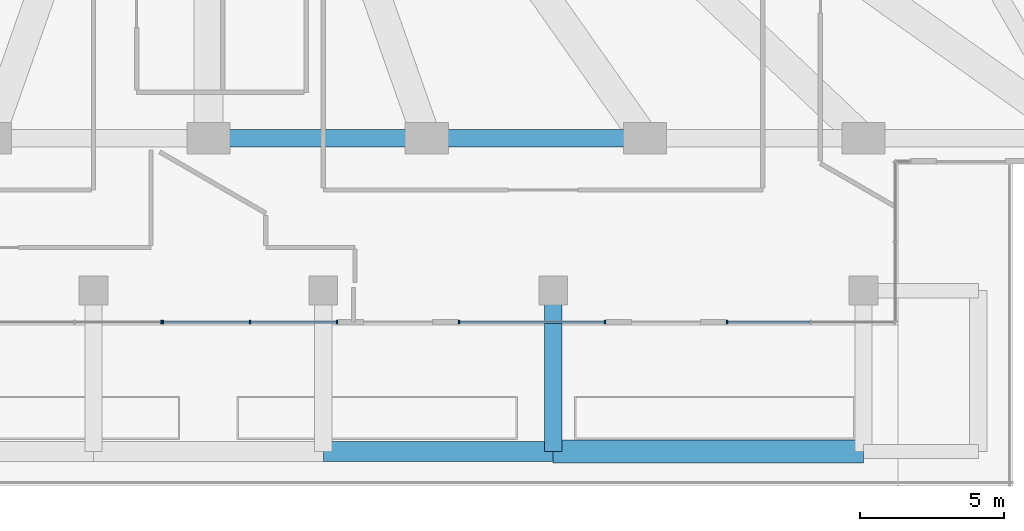
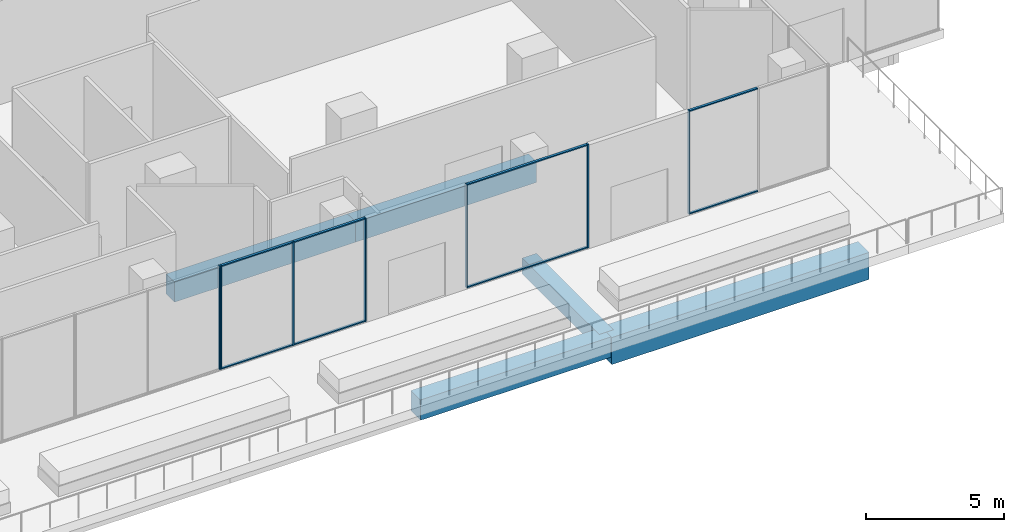
# One storey, part 7 of 32: 15 members, 5 beams, 4 elements without a shape of their own.
"""IFC4 building model written with IfcOpenShell, lengths in metres."""

from ifc_helpers import new_model, si_unit, direction, frame, origin, origin_2d, place, context, subcontext, project, spatial, rectangle, extrude, material, layer, layer_set, material_profile, profile_set, type_object, element, aggregate, save


model = new_model("IFC4")

# Units and contexts
model_context = context("Model", 3, precision=1e-05, world=origin(), true_north=direction((0.0, 1.0)))
body_context = subcontext(model_context, "Body", "Model", "MODEL_VIEW")
ifc_project = project(units=[si_unit("LENGTHUNIT", "METRE"), si_unit("AREAUNIT", "SQUARE_METRE"), si_unit("VOLUMEUNIT", "CUBIC_METRE"), si_unit("PLANEANGLEUNIT", "RADIAN"), si_unit("MASSUNIT", "GRAM", prefix="KILO")], contexts=[model_context])

# Site, building, storey
site_placement = place(None, origin())
site = spatial("IfcSite", under=ifc_project, at=site_placement, CompositionType="ELEMENT")
building_placement = place(site_placement, origin())
building = spatial("IfcBuilding", under=site, at=building_placement, Name="Triada Interchange Tower", CompositionType="ELEMENT")
storey_placement = place(building_placement, frame((0.0, 0.0, 25.300048828125)))
storey = spatial("IfcBuildingStorey", under=building, at=storey_placement, Name="L04", CompositionType="ELEMENT", Elevation=25.300048828125)

# Curtain wall, member
ifc_material_1 = material(Name="Aluminium framed glazing", Category="aluminium")
ifc_layer = layer(ifc_material_1, 0.199951171875)
ifc_layer_set = layer_set([ifc_layer], Name="Curtain wall Winter garden glazing")
curtain_wall_type = type_object("IfcCurtainWallType", Name="Curtain wall Winter garden glazing", PredefinedType="NOTDEFINED", material=ifc_layer_set)
curtain_wall_1_placement = place(storey_placement, origin())
curtain_wall_1 = element("IfcCurtainWall", 1, at=curtain_wall_1_placement, inside=storey, type_object=curtain_wall_type, Name="Winter garden glazing CW003 L04", PredefinedType="NOTDEFINED")
ifc_material_2 = material(Name="Aluminium", Category="aluminium")
ifc_material_profile_1 = material_profile(ifc_material_2, rectangle(XDim=0.1201171875, YDim=0.050048828125, at=origin_2d()), Name="Aluminium mullion")
ifc_profile_set_1 = profile_set([ifc_material_profile_1], Name="Aluminium")
member_type_1 = type_object("IfcMemberType", Name="Mullion Winter garden glazing 120x50", PredefinedType="MULLION", material=ifc_profile_set_1)
member_1_placement = place(storey_placement, frame((-1.64111328125, -28.0, 0.0), z_axis=(0.0, 0.0, 1.0), x_axis=(0.0, 1.0, 0.0)))
member_1 = element("IfcMember", 2, at=member_1_placement, type_object=member_type_1, Name="CW003 mullion 3", PredefinedType="MULLION", context=body_context, shape_type="SweptSolid", body=[
    extrude(rectangle(XDim=0.1201171875, YDim=0.050048828125, at=origin_2d()), origin(), (0.0, 0.0, 1.0), 4.599853515625),
])
aggregate(curtain_wall_1, [member_1])

# Curtain wall, members
curtain_wall_2_placement = place(storey_placement, origin())
curtain_wall_2 = element("IfcCurtainWall", 3, at=curtain_wall_2_placement, inside=storey, type_object=curtain_wall_type, Name="Winter garden glazing CW004 L04", PredefinedType="NOTDEFINED")
member_2_placement = place(storey_placement, frame((-1.5810546875, -28.0, 0.0), z_axis=(0.0, 0.0, 1.0), x_axis=(0.0, 1.0, 0.0)))
member_2 = element("IfcMember", 4, at=member_2_placement, type_object=member_type_1, Name="CW004 mullion 1", PredefinedType="MULLION", context=body_context, shape_type="SweptSolid", body=[
    extrude(rectangle(XDim=0.1201171875, YDim=0.050048828125, at=origin_2d()), origin(), (0.0, 0.0, 1.0), 4.599853515625),
])
member_3_placement = place(storey_placement, frame((1.447021484375, -28.0, 0.0), z_axis=(0.0, 0.0, 1.0), x_axis=(0.0, 1.0, 0.0)))
member_3 = element("IfcMember", 5, at=member_3_placement, type_object=member_type_1, Name="CW004 mullion 2", PredefinedType="MULLION", context=body_context, shape_type="SweptSolid", body=[
    extrude(rectangle(XDim=0.1201171875, YDim=0.050048828125, at=origin_2d()), origin(), (0.0, 0.0, 1.0), 4.599853515625),
])
member_4_placement = place(storey_placement, frame((4.47509765625, -28.0, 0.0), z_axis=(0.0, 0.0, 1.0), x_axis=(0.0, 1.0, 0.0)))
member_4 = element("IfcMember", 6, at=member_4_placement, type_object=member_type_1, Name="CW004 mullion 3", PredefinedType="MULLION", context=body_context, shape_type="SweptSolid", body=[
    extrude(rectangle(XDim=0.1201171875, YDim=0.050048828125, at=origin_2d()), origin(), (0.0, 0.0, 1.0), 4.599853515625),
])

curtain_wall_3_placement = place(storey_placement, origin())
curtain_wall_3 = element("IfcCurtainWall", 7, at=curtain_wall_3_placement, inside=storey, type_object=curtain_wall_type, Name="Winter garden glazing CW005 L04", PredefinedType="NOTDEFINED")
member_5_placement = place(storey_placement, frame((8.72509765625, -28.0, 0.0), z_axis=(0.0, 0.0, 1.0), x_axis=(0.0, 1.0, 0.0)))
member_5 = element("IfcMember", 8, at=member_5_placement, type_object=member_type_1, Name="CW005 mullion 1", PredefinedType="MULLION", context=body_context, shape_type="SweptSolid", body=[
    extrude(rectangle(XDim=0.1201171875, YDim=0.050048828125, at=origin_2d()), origin(), (0.0, 0.0, 1.0), 4.599853515625),
])
member_6_placement = place(storey_placement, frame((13.80810546875, -28.0, 0.0), z_axis=(0.0, 0.0, 1.0), x_axis=(0.0, 1.0, 0.0)))
member_6 = element("IfcMember", 9, at=member_6_placement, type_object=member_type_1, Name="CW005 mullion 2", PredefinedType="MULLION", context=body_context, shape_type="SweptSolid", body=[
    extrude(rectangle(XDim=0.1201171875, YDim=0.050048828125, at=origin_2d()), origin(), (0.0, 0.0, 1.0), 4.599853515625),
])

# Curtain wall, member
curtain_wall_4_placement = place(storey_placement, origin())
curtain_wall_4 = element("IfcCurtainWall", 10, at=curtain_wall_4_placement, inside=storey, type_object=curtain_wall_type, Name="Winter garden glazing CW006 L04", PredefinedType="NOTDEFINED")
member_7_placement = place(storey_placement, frame((18.05810546875, -28.0, 0.0), z_axis=(0.0, 0.0, 1.0), x_axis=(0.0, 1.0, 0.0)))
member_7 = element("IfcMember", 11, at=member_7_placement, type_object=member_type_1, Name="CW006 mullion 1", PredefinedType="MULLION", context=body_context, shape_type="SweptSolid", body=[
    extrude(rectangle(XDim=0.1201171875, YDim=0.050048828125, at=origin_2d()), origin(), (0.0, 0.0, 1.0), 4.599853515625),
])

# Beams
ifc_material_3 = material(Name="Concrete C50/60", Category="concrete")
ifc_material_profile_2 = material_profile(ifc_material_3, rectangle(XDim=0.60009765625, YDim=0.89990234375, at=origin_2d()), Name="RC 600x900")
ifc_profile_set_2 = profile_set([ifc_material_profile_2], Name="Concrete C50/60")
beam_type_1 = type_object("IfcBeamType", Name="Spandrel beam P RC 600x900", PredefinedType="BEAM", material=ifc_profile_set_2)
beam_1_placement = place(storey_placement, frame((0.0, -21.60009765625, -0.85009765625), z_axis=(1.0, 0.0, 0.0), x_axis=(0.0, 1.0, 0.0)))
element("IfcBeam", 12, at=beam_1_placement, inside=storey, type_object=beam_type_1, Name="Spandrel beam EP15 L04", PredefinedType="BEAM", context=body_context, shape_type="SweptSolid", body=[
    extrude(rectangle(XDim=0.60009765625, YDim=0.89990234375, at=origin_2d()), origin(), (0.0, 0.0, 1.0), 7.59912109375),
])
beam_2_placement = place(storey_placement, frame((7.59912109375, -21.60009765625, -0.85009765625), z_axis=(1.0, 0.0, 0.0), x_axis=(0.0, 1.0, 0.0)))
element("IfcBeam", 13, at=beam_2_placement, inside=storey, type_object=beam_type_1, Name="Spandrel beam EP16 L04", PredefinedType="BEAM", context=body_context, shape_type="SweptSolid", body=[
    extrude(rectangle(XDim=0.60009765625, YDim=0.89990234375, at=origin_2d()), origin(), (0.0, 0.0, 1.0), 7.599853515625),
])
ifc_material_4 = material(Name="Concrete C40/50", Category="concrete")
ifc_material_profile_3 = material_profile(ifc_material_4, rectangle(XDim=0.60009765625, YDim=0.699951171875, at=origin_2d()), Name="RC 600x700")
ifc_profile_set_3 = profile_set([ifc_material_profile_3], Name="Concrete C40/50")
beam_type_2 = type_object("IfcBeamType", Name="Terrace beam RC 600x700", PredefinedType="BEAM", material=ifc_profile_set_3)
beam_3_placement = place(storey_placement, frame((12.0, -32.5, -0.75), z_axis=(0.0, 1.0, 0.0), x_axis=(-1.0, 0.0, 0.0)))
element("IfcBeam", 14, at=beam_3_placement, inside=storey, type_object=beam_type_2, Name="Terrace beam TE11 L04", PredefinedType="BEAM", context=body_context, shape_type="SweptSolid", body=[
    extrude(rectangle(XDim=0.60009765625, YDim=0.699951171875, at=origin_2d()), origin(), (0.0, 0.0, 1.0), 5.60009765625),
])
ifc_material_profile_4 = material_profile(ifc_material_4, rectangle(XDim=0.699951171875, YDim=0.89990234375, at=origin_2d()), Name="RC 700x900")
ifc_profile_set_4 = profile_set([ifc_material_profile_4], Name="Concrete C40/50")
beam_type_3 = type_object("IfcBeamType", Name="Terrace beam RC 700x900", PredefinedType="BEAM", material=ifc_profile_set_4)
beam_4_placement = place(storey_placement, frame((4.0, -32.5, -0.85009765625), z_axis=(1.0, 0.0, 0.0), x_axis=(0.0, 1.0, 0.0)))
element("IfcBeam", 15, at=beam_4_placement, inside=storey, type_object=beam_type_3, Name="Terrace beam TE16 L04", PredefinedType="BEAM", context=body_context, shape_type="SweptSolid", body=[
    extrude(rectangle(XDim=0.699951171875, YDim=0.89990234375, at=origin_2d()), origin(), (0.0, 0.0, 1.0), 8.0),
])
ifc_material_profile_5 = material_profile(ifc_material_4, rectangle(XDim=0.800048828125, YDim=1.199951171875, at=origin_2d()), Name="RC 800x1200")
ifc_profile_set_5 = profile_set([ifc_material_profile_5], Name="Concrete C40/50")
beam_type_4 = type_object("IfcBeamType", Name="Terrace beam RC 800x1200", PredefinedType="BEAM", material=ifc_profile_set_5)
beam_5_placement = place(storey_placement, frame((12.0, -32.5, -1.0), z_axis=(1.0, 0.0, 0.0), x_axis=(0.0, 1.0, 0.0)))
element("IfcBeam", 16, at=beam_5_placement, inside=storey, type_object=beam_type_4, Name="Terrace beam TE17 L04", PredefinedType="BEAM", context=body_context, shape_type="SweptSolid", body=[
    extrude(rectangle(XDim=0.800048828125, YDim=1.199951171875, at=origin_2d()), origin(), (0.0, 0.0, 1.0), 10.800048828125),
])

# Member
ifc_material_profile_6 = material_profile(ifc_material_2, rectangle(XDim=0.10009765625, YDim=0.050048828125, at=origin_2d()), Name="Aluminium transom")
ifc_profile_set_6 = profile_set([ifc_material_profile_6], Name="Aluminium")
member_type_2 = type_object("IfcMemberType", Name="Transom Winter garden glazing 100x50", PredefinedType="USERDEFINED", material=ifc_profile_set_6)
member_8_placement = place(storey_placement, frame((-1.555908203125, -28.0, 0.02490234375), z_axis=(1.0, 0.0, 0.0), x_axis=(0.0, 1.0, 0.0)))
member_8 = element("IfcMember", 17, at=member_8_placement, type_object=member_type_2, Name="CW004 transom 1.1", ObjectType="TRANSOM", PredefinedType="USERDEFINED", context=body_context, shape_type="SweptSolid", body=[
    extrude(rectangle(XDim=0.10009765625, YDim=0.050048828125, at=origin_2d()), origin(), (0.0, 0.0, 1.0), 2.97802734375),
])

member_9_placement = place(storey_placement, frame((-1.555908203125, -28.0, 4.574951171875), z_axis=(1.0, 0.0, 0.0), x_axis=(0.0, 1.0, 0.0)))
member_9 = element("IfcMember", 18, at=member_9_placement, type_object=member_type_2, Name="CW004 transom 1.2", ObjectType="TRANSOM", PredefinedType="USERDEFINED", context=body_context, shape_type="SweptSolid", body=[
    extrude(rectangle(XDim=0.10009765625, YDim=0.050048828125, at=origin_2d()), origin(), (0.0, 0.0, 1.0), 2.97802734375),
])

member_10_placement = place(storey_placement, frame((1.471923828125, -28.0, 0.02490234375), z_axis=(1.0, 0.0, 0.0), x_axis=(0.0, 1.0, 0.0)))
member_10 = element("IfcMember", 19, at=member_10_placement, type_object=member_type_2, Name="CW004 transom 2.1", ObjectType="TRANSOM", PredefinedType="USERDEFINED", context=body_context, shape_type="SweptSolid", body=[
    extrude(rectangle(XDim=0.10009765625, YDim=0.050048828125, at=origin_2d()), origin(), (0.0, 0.0, 1.0), 2.97802734375),
])

member_11_placement = place(storey_placement, frame((1.471923828125, -28.0, 4.574951171875), z_axis=(1.0, 0.0, 0.0), x_axis=(0.0, 1.0, 0.0)))
member_11 = element("IfcMember", 20, at=member_11_placement, type_object=member_type_2, Name="CW004 transom 2.2", ObjectType="TRANSOM", PredefinedType="USERDEFINED", context=body_context, shape_type="SweptSolid", body=[
    extrude(rectangle(XDim=0.10009765625, YDim=0.050048828125, at=origin_2d()), origin(), (0.0, 0.0, 1.0), 2.97802734375),
])

aggregate(curtain_wall_2, [member_2, member_3, member_4, member_8, member_9, member_10, member_11])

member_12_placement = place(storey_placement, frame((8.75, -28.0, 0.02490234375), z_axis=(1.0, 0.0, 0.0), x_axis=(0.0, 1.0, 0.0)))
member_12 = element("IfcMember", 21, at=member_12_placement, type_object=member_type_2, Name="CW005 transom 1.1", ObjectType="TRANSOM", PredefinedType="USERDEFINED", context=body_context, shape_type="SweptSolid", body=[
    extrude(rectangle(XDim=0.10009765625, YDim=0.050048828125, at=origin_2d()), origin(), (0.0, 0.0, 1.0), 5.032958984375),
])

member_13_placement = place(storey_placement, frame((8.75, -28.0, 4.574951171875), z_axis=(1.0, 0.0, 0.0), x_axis=(0.0, 1.0, 0.0)))
member_13 = element("IfcMember", 22, at=member_13_placement, type_object=member_type_2, Name="CW005 transom 1.2", ObjectType="TRANSOM", PredefinedType="USERDEFINED", context=body_context, shape_type="SweptSolid", body=[
    extrude(rectangle(XDim=0.10009765625, YDim=0.050048828125, at=origin_2d()), origin(), (0.0, 0.0, 1.0), 5.032958984375),
])

aggregate(curtain_wall_3, [member_5, member_6, member_12, member_13])

member_14_placement = place(storey_placement, frame((18.0830078125, -28.0, 0.02490234375), z_axis=(1.0, 0.0, 0.0), x_axis=(0.0, 1.0, 0.0)))
member_14 = element("IfcMember", 23, at=member_14_placement, type_object=member_type_2, Name="CW006 transom 1.1", ObjectType="TRANSOM", PredefinedType="USERDEFINED", context=body_context, shape_type="SweptSolid", body=[
    extrude(rectangle(XDim=0.10009765625, YDim=0.050048828125, at=origin_2d()), origin(), (0.0, 0.0, 1.0), 2.8583984375),
])

member_15_placement = place(storey_placement, frame((18.0830078125, -28.0, 4.574951171875), z_axis=(1.0, 0.0, 0.0), x_axis=(0.0, 1.0, 0.0)))
member_15 = element("IfcMember", 24, at=member_15_placement, type_object=member_type_2, Name="CW006 transom 1.2", ObjectType="TRANSOM", PredefinedType="USERDEFINED", context=body_context, shape_type="SweptSolid", body=[
    extrude(rectangle(XDim=0.10009765625, YDim=0.050048828125, at=origin_2d()), origin(), (0.0, 0.0, 1.0), 2.8583984375),
])

aggregate(curtain_wall_4, [member_7, member_14, member_15])

save(model, "model.ifc")
